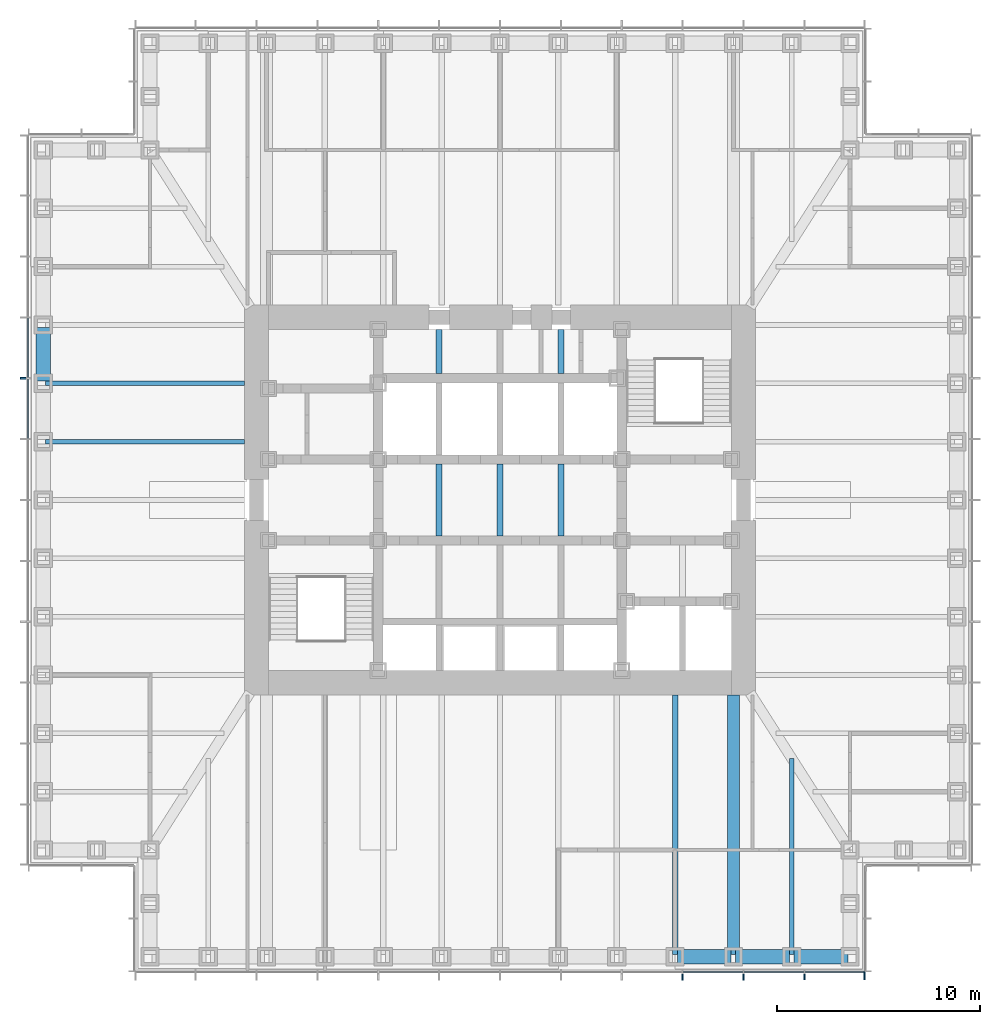
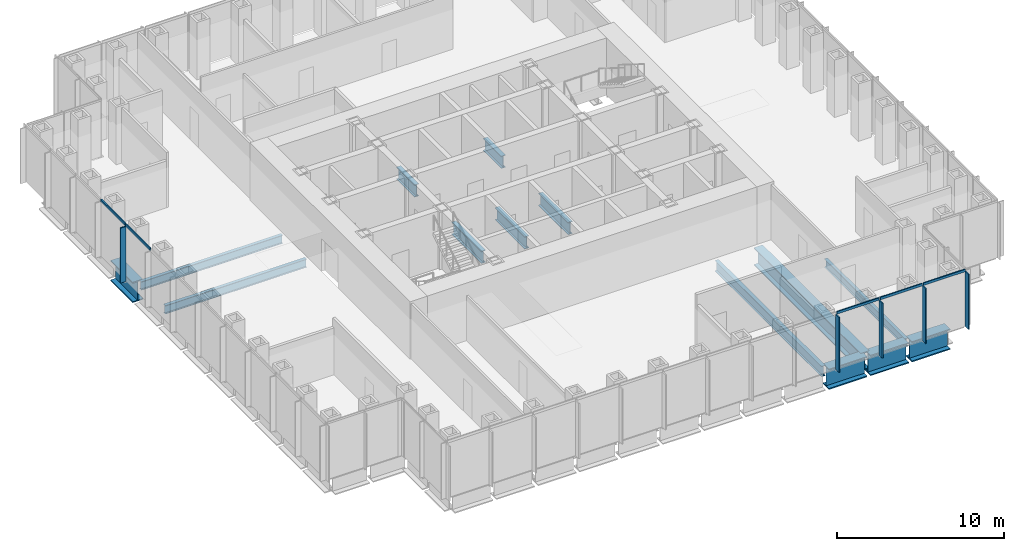
# One storey, part 3 of 17: 14 beams, 10 members, 2 elements without a shape of their own.
"""IFC4 building model written with IfcOpenShell, lengths in metres."""

from ifc_helpers import new_model, si_unit, direction, frame, origin, origin_2d, place, context, subcontext, project, spatial, rectangle, i_section, extrude, material, material_profile, profile_set, type_object, element, aggregate, save


model = new_model("IFC4")

# Units and contexts
model_context = context("Model", 3, precision=1e-05, world=origin(), true_north=direction((0.0, 1.0)))
body_context = subcontext(model_context, "Body", "Model", "MODEL_VIEW")
ifc_project = project(units=[si_unit("LENGTHUNIT", "METRE"), si_unit("AREAUNIT", "SQUARE_METRE"), si_unit("VOLUMEUNIT", "CUBIC_METRE"), si_unit("PLANEANGLEUNIT", "RADIAN"), si_unit("MASSUNIT", "GRAM", prefix="KILO")], contexts=[model_context])

# Site, building, storey
site_placement = place(None, origin())
site = spatial("IfcSite", under=ifc_project, at=site_placement, CompositionType="ELEMENT")
building_placement = place(site_placement, origin())
building = spatial("IfcBuilding", under=site, at=building_placement, Name="Daluyong Arena Tower", CompositionType="ELEMENT")
storey_placement = place(building_placement, frame((0.0, 0.0, 129.10009765625)))
storey = spatial("IfcBuildingStorey", under=building, at=storey_placement, Name="L28", CompositionType="ELEMENT", Elevation=129.10009765625)

# Curtain wall, members
ifc_material_1 = material(Name="Bronze anodised aluminium and glass", Category="aluminium")
curtain_wall_type = type_object("IfcCurtainWallType", Name="Curtain wall CW2", PredefinedType="USERDEFINED", material=ifc_material_1)
curtain_wall_1_placement = place(storey_placement, origin())
curtain_wall_1 = element("IfcCurtainWall", 1, at=curtain_wall_1_placement, inside=storey, type_object=curtain_wall_type, Name="curtain wall L28 S", ObjectType="UNITISED CURTAIN WALL", PredefinedType="USERDEFINED")
ifc_material_2 = material(Name="Bronze anodised aluminium fin", Category="aluminium")
ifc_material_profile_1 = material_profile(ifc_material_2, rectangle(XDim=0.39990234375, YDim=0.080078125, at=origin_2d()))
ifc_profile_set_1 = profile_set([ifc_material_profile_1], Name="Bronze anodised aluminium fin")
member_type_1 = type_object("IfcMemberType", Name="CW2 bronze fin 400x80", PredefinedType="MULLION", material=ifc_profile_set_1)
member_1_placement = place(storey_placement, frame((65.0, 56.550048828125, 0.0), z_axis=(0.0, 0.0, 1.0), x_axis=(0.0, 1.0, 0.0)))
member_1 = element("IfcMember", 2, at=member_1_placement, type_object=member_type_1, Name="curtain wall L28 S fin 10", PredefinedType="MULLION", context=body_context, shape_type="SweptSolid", body=[
    extrude(rectangle(XDim=0.39990234375, YDim=0.080078125, at=origin_2d()), origin(), (0.0, 0.0, 1.0), 4.02001953125),
])
member_2_placement = place(storey_placement, frame((68.0, 56.550048828125, 0.0), z_axis=(0.0, 0.0, 1.0), x_axis=(0.0, 1.0, 0.0)))
member_2 = element("IfcMember", 3, at=member_2_placement, type_object=member_type_1, Name="curtain wall L28 S fin 11", PredefinedType="MULLION", context=body_context, shape_type="SweptSolid", body=[
    extrude(rectangle(XDim=0.39990234375, YDim=0.080078125, at=origin_2d()), origin(), (0.0, 0.0, 1.0), 4.02001953125),
])
member_3_placement = place(storey_placement, frame((71.0, 56.550048828125, 0.0), z_axis=(0.0, 0.0, 1.0), x_axis=(0.0, 1.0, 0.0)))
member_3 = element("IfcMember", 4, at=member_3_placement, type_object=member_type_1, Name="curtain wall L28 S fin 12", PredefinedType="MULLION", context=body_context, shape_type="SweptSolid", body=[
    extrude(rectangle(XDim=0.39990234375, YDim=0.080078125, at=origin_2d()), origin(), (0.0, 0.0, 1.0), 4.02001953125),
])
member_4_placement = place(storey_placement, frame((73.9599609375, 56.550048828125, 0.0), z_axis=(0.0, 0.0, 1.0), x_axis=(0.0, 1.0, 0.0)))
member_4 = element("IfcMember", 5, at=member_4_placement, type_object=member_type_1, Name="curtain wall L28 S fin 13", PredefinedType="MULLION", context=body_context, shape_type="SweptSolid", body=[
    extrude(rectangle(XDim=0.39990234375, YDim=0.080078125, at=origin_2d()), origin(), (0.0, 0.0, 1.0), 4.02001953125),
])

# Curtain wall, member
curtain_wall_2_placement = place(storey_placement, origin())
curtain_wall_2 = element("IfcCurtainWall", 6, at=curtain_wall_2_placement, inside=storey, type_object=curtain_wall_type, Name="curtain wall L28 W", ObjectType="UNITISED CURTAIN WALL", PredefinedType="USERDEFINED")
member_5_placement = place(storey_placement, frame((32.550048828125, 86.0, 0.0), z_axis=(0.0, 0.0, 1.0), x_axis=(1.0, 0.0, 0.0)))
member_5 = element("IfcMember", 7, at=member_5_placement, type_object=member_type_1, Name="curtain wall L28 W fin 5", PredefinedType="MULLION", context=body_context, shape_type="SweptSolid", body=[
    extrude(rectangle(XDim=0.39990234375, YDim=0.080078125, at=origin_2d()), origin(), (0.0, 0.0, 1.0), 4.02001953125),
])

# Member
ifc_material_3 = material(Name="Bronze anodised aluminium", Category="aluminium")
ifc_material_profile_2 = material_profile(ifc_material_3, rectangle(XDim=0.080078125, YDim=0.179931640625, at=origin_2d()))
ifc_profile_set_2 = profile_set([ifc_material_profile_2], Name="Bronze anodised aluminium")
member_type_2 = type_object("IfcMemberType", Name="CW2 stack transom 180x80", PredefinedType="USERDEFINED", material=ifc_profile_set_2)
member_6_placement = place(storey_placement, frame((65.0400390625, 56.75, 4.10986328125), z_axis=(1.0, 0.0, 0.0), x_axis=(0.0, 1.0, 0.0)))
member_6 = element("IfcMember", 8, at=member_6_placement, type_object=member_type_2, Name="curtain wall L28 S transom 10", ObjectType="TRANSOM", PredefinedType="USERDEFINED", context=body_context, shape_type="SweptSolid", body=[
    extrude(rectangle(XDim=0.080078125, YDim=0.179931640625, at=origin_2d()), origin(), (0.0, 0.0, 1.0), 2.919921875),
])

member_7_placement = place(storey_placement, frame((68.0400390625, 56.75, 4.10986328125), z_axis=(1.0, 0.0, 0.0), x_axis=(0.0, 1.0, 0.0)))
member_7 = element("IfcMember", 9, at=member_7_placement, type_object=member_type_2, Name="curtain wall L28 S transom 11", ObjectType="TRANSOM", PredefinedType="USERDEFINED", context=body_context, shape_type="SweptSolid", body=[
    extrude(rectangle(XDim=0.080078125, YDim=0.179931640625, at=origin_2d()), origin(), (0.0, 0.0, 1.0), 2.919921875),
])

member_8_placement = place(storey_placement, frame((71.0400390625, 56.75, 4.10986328125), z_axis=(1.0, 0.0, 0.0), x_axis=(0.0, 1.0, 0.0)))
member_8 = element("IfcMember", 10, at=member_8_placement, type_object=member_type_2, Name="curtain wall L28 S transom 12", ObjectType="TRANSOM", PredefinedType="USERDEFINED", context=body_context, shape_type="SweptSolid", body=[
    extrude(rectangle(XDim=0.080078125, YDim=0.179931640625, at=origin_2d()), origin(), (0.0, 0.0, 1.0), 2.8798828125),
])

aggregate(curtain_wall_1, [member_1, member_2, member_3, member_4, member_6, member_7, member_8])

member_9_placement = place(storey_placement, frame((32.75, 88.9599609375, 4.10986328125), z_axis=(0.0, -1.0, 0.0), x_axis=(1.0, 0.0, 0.0)))
member_9 = element("IfcMember", 11, at=member_9_placement, type_object=member_type_2, Name="curtain wall L28 W transom 4", ObjectType="TRANSOM", PredefinedType="USERDEFINED", context=body_context, shape_type="SweptSolid", body=[
    extrude(rectangle(XDim=0.080078125, YDim=0.179931640625, at=origin_2d()), origin(), (0.0, 0.0, 1.0), 2.919921875),
])

member_10_placement = place(storey_placement, frame((32.75, 85.9599609375, 4.10986328125), z_axis=(0.0, -1.0, 0.0), x_axis=(1.0, 0.0, 0.0)))
member_10 = element("IfcMember", 12, at=member_10_placement, type_object=member_type_2, Name="curtain wall L28 W transom 5", ObjectType="TRANSOM", PredefinedType="USERDEFINED", context=body_context, shape_type="SweptSolid", body=[
    extrude(rectangle(XDim=0.080078125, YDim=0.179931640625, at=origin_2d()), origin(), (0.0, 0.0, 1.0), 2.919921875),
])

aggregate(curtain_wall_2, [member_5, member_9, member_10])

# Beams
ifc_material_4 = material(Name="Steel ASTM A572 Grade 50", Category="steel")
ifc_material_profile_3 = material_profile(ifc_material_4, i_section(OverallWidth=0.60009765625, OverallDepth=1.300048828125, WebThickness=0.035, FlangeThickness=0.07, at=origin_2d()))
ifc_profile_set_3 = profile_set([ifc_material_profile_3], Name="Steel ASTM A572 Grade 50")
beam_type_1 = type_object("IfcBeamType", Name="Floor beam TB1300X600", PredefinedType="BEAM", material=ifc_profile_set_3)
beam_1_placement = place(storey_placement, frame((67.5, 57.614990234375, -0.81005859375), z_axis=(0.0, 1.0, 0.0), x_axis=(-1.0, 0.0, 0.0)))
element("IfcBeam", 13, at=beam_1_placement, inside=storey, type_object=beam_type_1, Name="floor beam FB7", PredefinedType="BEAM", context=body_context, shape_type="SweptSolid", body=[
    extrude(i_section(OverallWidth=0.60009765625, OverallDepth=1.300048828125, WebThickness=0.035, FlangeThickness=0.07, at=origin_2d()), origin(), (0.0, 0.0, 1.0), 12.784912109375),
])
ifc_material_5 = material(Name="Steel ASTM A992 Grade 50", Category="steel")
ifc_material_profile_4 = material_profile(ifc_material_5, i_section(OverallWidth=0.22900390625, OverallDepth=0.612060546875, WebThickness=0.011962890625, FlangeThickness=0.01953125, at=origin_2d()))
ifc_profile_set_4 = profile_set([ifc_material_profile_4], Name="Steel ASTM A992 Grade 50")
beam_type_2 = type_object("IfcBeamType", Name="Floor beam W24X84", PredefinedType="BEAM", material=ifc_profile_set_4)
beam_2_placement = place(storey_placement, frame((70.375, 57.614990234375, -0.466064453125), z_axis=(0.0, 1.0, 0.0), x_axis=(-1.0, 0.0, 0.0)))
element("IfcBeam", 14, at=beam_2_placement, inside=storey, type_object=beam_type_2, Name="floor beam FB3", PredefinedType="BEAM", context=body_context, shape_type="SweptSolid", body=[
    extrude(i_section(OverallWidth=0.22900390625, OverallDepth=0.612060546875, WebThickness=0.011962890625, FlangeThickness=0.01953125, at=origin_2d()), origin(), (0.0, 0.0, 1.0), 9.65283203125),
])
for number, where, z_axis, x_axis, name in (
    (15, (33.614990234375, 85.75, -0.466064453125), (1.0, 0.0, 0.0), (0.0, 1.0, 0.0), "floor beam FB3"),
    (16, (33.614990234375, 82.875, -0.466064453125), (1.0, 0.0, 0.0), (0.0, 1.0, 0.0), "floor beam FB3"),
):
    element("IfcBeam", number, at=place(storey_placement, frame(where, z_axis=z_axis, x_axis=x_axis)), inside=storey, type_object=beam_type_2, Name=name, PredefinedType="BEAM", context=body_context, shape_type="SweptSolid", body=[
        extrude(i_section(OverallWidth=0.22900390625, OverallDepth=0.612060546875, WebThickness=0.011962890625, FlangeThickness=0.01953125, at=origin_2d()), origin(), (0.0, 0.0, 1.0), 9.784912109375),
    ])
ifc_material_6 = material(Name="Steel ASTM A992 Grade 50", Category="steel")
ifc_material_profile_5 = material_profile(ifc_material_6, i_section(OverallWidth=0.2666015625, OverallDepth=0.761962890625, WebThickness=0.014404296875, FlangeThickness=0.021484375, at=origin_2d()))
ifc_profile_set_5 = profile_set([ifc_material_profile_5], Name="Steel ASTM A992 Grade 50")
beam_type_3 = type_object("IfcBeamType", Name="Floor beam W30X116", PredefinedType="BEAM", material=ifc_profile_set_5)
beam_3_placement = place(storey_placement, frame((64.625, 57.614990234375, -0.541015625), z_axis=(0.0, 1.0, 0.0), x_axis=(-1.0, 0.0, 0.0)))
element("IfcBeam", 17, at=beam_3_placement, inside=storey, type_object=beam_type_3, Name="floor beam FB4", PredefinedType="BEAM", context=body_context, shape_type="SweptSolid", body=[
    extrude(i_section(OverallWidth=0.2666015625, OverallDepth=0.761962890625, WebThickness=0.014404296875, FlangeThickness=0.021484375, at=origin_2d()), origin(), (0.0, 0.0, 1.0), 12.784912109375),
])
ifc_material_7 = material(Name="Steel ASTM A572 Grade 50", Category="steel")
ifc_material_profile_6 = material_profile(ifc_material_7, i_section(OverallWidth=0.300048828125, OverallDepth=0.89990234375, WebThickness=0.025, FlangeThickness=0.04, at=origin_2d()))
ifc_profile_set_6 = profile_set([ifc_material_profile_6], Name="Steel ASTM A572 Grade 50")
beam_type_4 = type_object("IfcBeamType", Name="Lift divider beam PG900X300", PredefinedType="BEAM", material=ifc_profile_set_6)
beam_4_placement = place(storey_placement, frame((53.0, 78.22509765625, -0.610107421875), z_axis=(0.0, 1.0, 0.0), x_axis=(-1.0, 0.0, 0.0)))
element("IfcBeam", 18, at=beam_4_placement, inside=storey, type_object=beam_type_4, Name="lift divider beam DB1", PredefinedType="BEAM", context=body_context, shape_type="SweptSolid", body=[
    extrude(i_section(OverallWidth=0.300048828125, OverallDepth=0.89990234375, WebThickness=0.025, FlangeThickness=0.04, at=origin_2d()), origin(), (0.0, 0.0, 1.0), 3.5498046875),
])
beam_5_placement = place(storey_placement, frame((53.0, 86.22509765625, -0.610107421875), z_axis=(0.0, 1.0, 0.0), x_axis=(-1.0, 0.0, 0.0)))
element("IfcBeam", 19, at=beam_5_placement, inside=storey, type_object=beam_type_4, Name="lift divider beam DB1", PredefinedType="BEAM", context=body_context, shape_type="SweptSolid", body=[
    extrude(i_section(OverallWidth=0.300048828125, OverallDepth=0.89990234375, WebThickness=0.025, FlangeThickness=0.04, at=origin_2d()), origin(), (0.0, 0.0, 1.0), 2.1748046875),
])
for number, where, z_axis, x_axis, name in (
    (20, (56.0, 78.22509765625, -0.610107421875), (0.0, 1.0, 0.0), (-1.0, 0.0, 0.0), "lift divider beam DB1"),
    (21, (59.0, 78.22509765625, -0.610107421875), (0.0, 1.0, 0.0), (-1.0, 0.0, 0.0), "lift divider beam DB1"),
):
    element("IfcBeam", number, at=place(storey_placement, frame(where, z_axis=z_axis, x_axis=x_axis)), inside=storey, type_object=beam_type_4, Name=name, PredefinedType="BEAM", context=body_context, shape_type="SweptSolid", body=[
        extrude(i_section(OverallWidth=0.300048828125, OverallDepth=0.89990234375, WebThickness=0.025, FlangeThickness=0.04, at=origin_2d()), origin(), (0.0, 0.0, 1.0), 3.5498046875),
    ])
beam_6_placement = place(storey_placement, frame((59.0, 86.22509765625, -0.610107421875), z_axis=(0.0, 1.0, 0.0), x_axis=(-1.0, 0.0, 0.0)))
element("IfcBeam", 22, at=beam_6_placement, inside=storey, type_object=beam_type_4, Name="lift divider beam DB1", PredefinedType="BEAM", context=body_context, shape_type="SweptSolid", body=[
    extrude(i_section(OverallWidth=0.300048828125, OverallDepth=0.89990234375, WebThickness=0.025, FlangeThickness=0.04, at=origin_2d()), origin(), (0.0, 0.0, 1.0), 2.1748046875),
])
ifc_material_8 = material(Name="Steel ASTM A572 Grade 50", Category="steel")
ifc_material_profile_7 = material_profile(ifc_material_8, i_section(OverallWidth=0.699951171875, OverallDepth=1.5, WebThickness=0.04, FlangeThickness=0.08, at=origin_2d()))
ifc_profile_set_7 = profile_set([ifc_material_profile_7], Name="Steel ASTM A572 Grade 50")
beam_type_5 = type_object("IfcBeamType", Name="Spandrel Z2 PG1500X700", PredefinedType="SPANDREL", material=ifc_profile_set_7)
for number, where, z_axis, x_axis, name in (
    (23, (64.739990234375, 57.5, -0.91015625), (1.0, 0.0, 0.0), (0.0, 1.0, 0.0), "spandrel z2 SB6"),
    (24, (67.614990234375, 57.5, -0.91015625), (1.0, 0.0, 0.0), (0.0, 1.0, 0.0), "spandrel z2 SB6"),
    (25, (70.489990234375, 57.5, -0.91015625), (1.0, 0.0, 0.0), (0.0, 1.0, 0.0), "spandrel z2 SB6"),
    (26, (33.5, 88.510009765625, -0.91015625), (0.0, -1.0, 0.0), (1.0, 0.0, 0.0), "spandrel z2 SB6"),
):
    element("IfcBeam", number, at=place(storey_placement, frame(where, z_axis=z_axis, x_axis=x_axis)), inside=storey, type_object=beam_type_5, Name=name, PredefinedType="SPANDREL", context=body_context, shape_type="SweptSolid", body=[
        extrude(i_section(OverallWidth=0.699951171875, OverallDepth=1.5, WebThickness=0.04, FlangeThickness=0.08, at=origin_2d()), origin(), (0.0, 0.0, 1.0), 2.64501953125),
    ])

save(model, "model.ifc")
